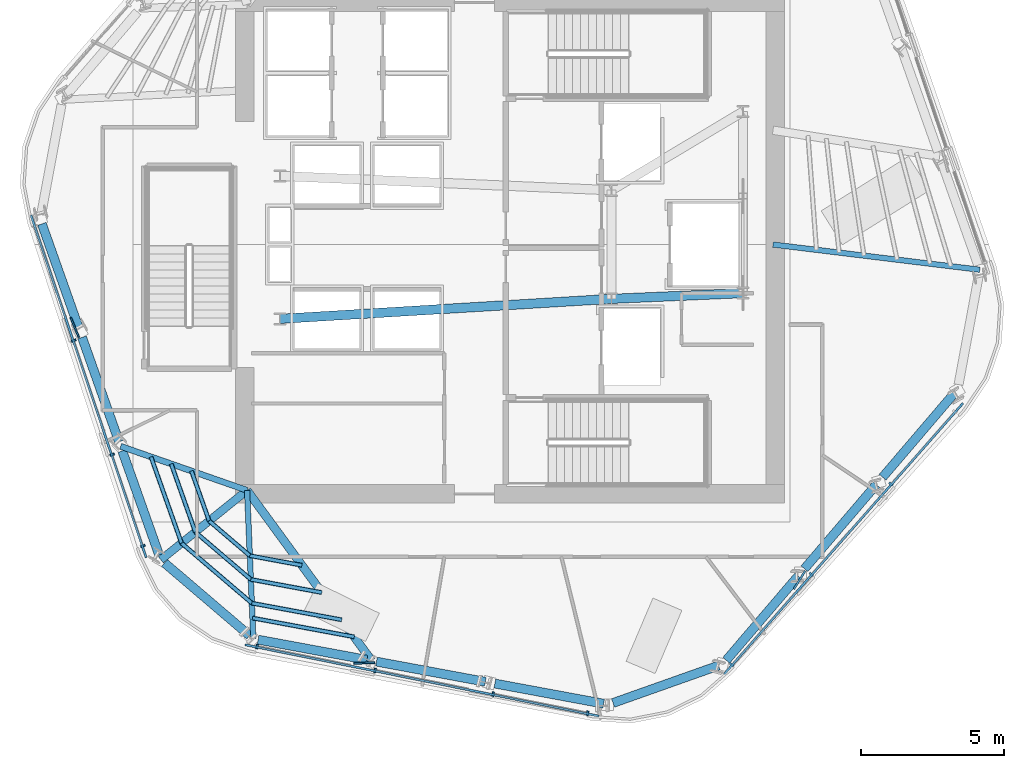
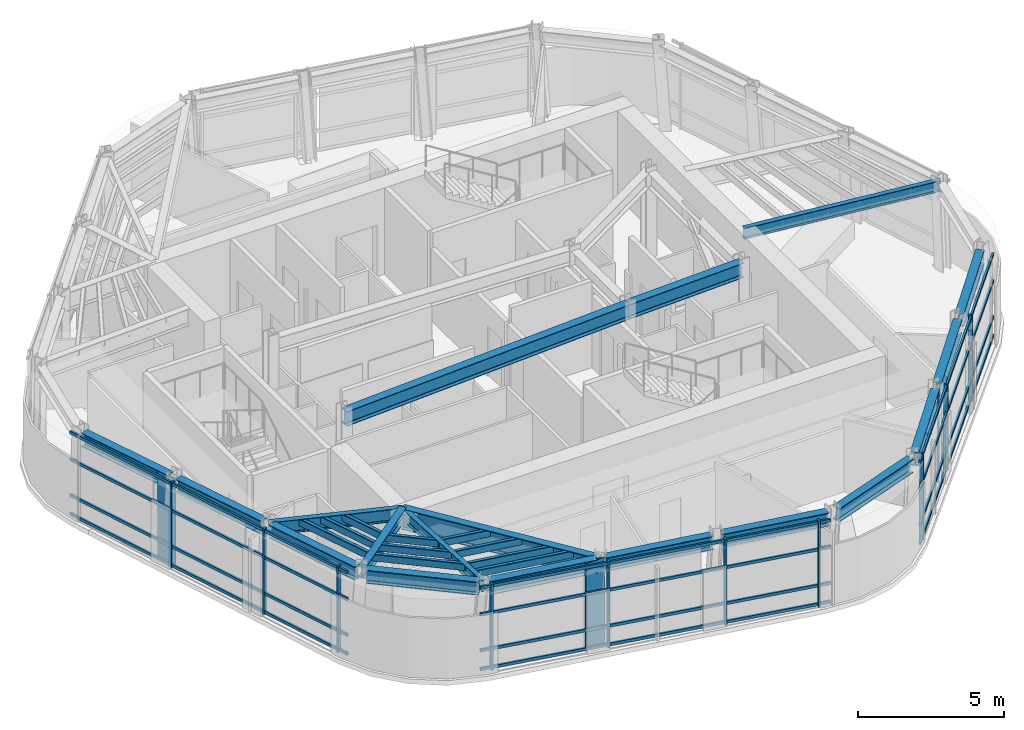
# One storey, part 2 of 12: 35 members, 18 beams, 3 elements without a shape of their own.
"""IFC4 building model written with IfcOpenShell, lengths in metres."""

from ifc_helpers import new_model, si_unit, direction, frame, origin, origin_2d, place, context, subcontext, project, spatial, rectangle, hollow_rectangle, i_section, extrude, material, layer, layer_set, material_profile, profile_set, type_object, element, aggregate, save


model = new_model("IFC4")

# Units and contexts
model_context = context("Model", 3, precision=1e-05, world=origin(), true_north=direction((0.0, 1.0)))
body_context = subcontext(model_context, "Body", "Model", "MODEL_VIEW")
ifc_project = project(units=[si_unit("LENGTHUNIT", "METRE"), si_unit("AREAUNIT", "SQUARE_METRE"), si_unit("VOLUMEUNIT", "CUBIC_METRE"), si_unit("PLANEANGLEUNIT", "RADIAN"), si_unit("MASSUNIT", "GRAM", prefix="KILO")], contexts=[model_context])

# Site, building, storey
site_placement = place(None, origin())
site = spatial("IfcSite", under=ifc_project, at=site_placement, CompositionType="ELEMENT")
building_placement = place(site_placement, origin())
building = spatial("IfcBuilding", under=site, at=building_placement, Name="Valkerne Bourse Tower", CompositionType="ELEMENT")
storey_placement = place(building_placement, frame((0.0, 0.0, 232.199951171875)))
storey = spatial("IfcBuildingStorey", under=building, at=storey_placement, Name="L59", CompositionType="ELEMENT", Elevation=232.199951171875)

# Beams
ifc_material_1 = material(Name="Steel ASTM A992", Category="steel")
ifc_material_profile_1 = material_profile(ifc_material_1, i_section(OverallWidth=0.1904296875, OverallDepth=0.457275390625, WebThickness=0.009033203125, FlangeThickness=0.014404296875, FilletRadius=0.01513671875, at=origin_2d()), Name="W18X50")
ifc_profile_set_1 = profile_set([ifc_material_profile_1], Name="Steel ASTM A992")
beam_type_1 = type_object("IfcBeamType", Name="BM-W18X50", PredefinedType="JOIST", material=ifc_profile_set_1)
beam_1_placement = place(storey_placement, frame((37.818115234375, 13.20703125, 3.371337890625), z_axis=(-0.041947062169, 0.999119834642, 0.0), x_axis=(-0.999119834642, -0.041947062169, 0.0)))
element("IfcBeam", 1, at=beam_1_placement, inside=storey, type_object=beam_type_1, Name="L59 Radial Composite Floor Beam 12", PredefinedType="JOIST", context=body_context, shape_type="SweptSolid", body=[
    extrude(i_section(OverallWidth=0.1904296875, OverallDepth=0.457275390625, WebThickness=0.009033203125, FlangeThickness=0.014404296875, FilletRadius=0.01513671875, at=origin_2d()), origin(), (0.0, 0.0, 1.0), 5.197509765625),
])
beam_2_placement = place(storey_placement, frame((63.236083984375, 26.117919921875, 3.371337890625), z_axis=(-0.992651962074, 0.121004471776, 0.0), x_axis=(-0.121004471776, -0.992651962074, 0.0)))
element("IfcBeam", 2, at=beam_2_placement, inside=storey, type_object=beam_type_1, Name="L59 Radial Composite Floor Beam 20", PredefinedType="JOIST", context=body_context, shape_type="SweptSolid", body=[
    extrude(i_section(OverallWidth=0.1904296875, OverallDepth=0.457275390625, WebThickness=0.009033203125, FlangeThickness=0.014404296875, FilletRadius=0.01513671875, at=origin_2d()), origin(), (0.0, 0.0, 1.0), 7.28955078125),
])
ifc_material_profile_2 = material_profile(ifc_material_1, i_section(OverallWidth=0.279296875, OverallDepth=0.46240234375, WebThickness=0.0107421875, FlangeThickness=0.017333984375, FilletRadius=0.017822265625, at=origin_2d()), Name="W18X76")
ifc_profile_set_2 = profile_set([ifc_material_profile_2], Name="Steel ASTM A992")
beam_type_2 = type_object("IfcBeamType", Name="BM-W18X76", PredefinedType="BEAM", material=ifc_profile_set_2)
beam_3_placement = place(storey_placement, frame((34.58203125, 15.970947265625, 3.368896484375), z_axis=(0.779039462859, 0.626974892087, 0.0), x_axis=(-0.626974892087, 0.779039462859, 0.0)))
element("IfcBeam", 3, at=beam_3_placement, inside=storey, type_object=beam_type_2, Name="L59 Radial Composite Floor Beam 11", PredefinedType="BEAM", context=body_context, shape_type="SweptSolid", body=[
    extrude(i_section(OverallWidth=0.279296875, OverallDepth=0.46240234375, WebThickness=0.0107421875, FlangeThickness=0.017333984375, FilletRadius=0.017822265625, at=origin_2d()), origin(), (0.0, 0.0, 1.0), 3.8740234375),
])
ifc_material_profile_3 = material_profile(ifc_material_1, i_section(OverallWidth=0.31494140625, OverallDepth=0.5537109375, WebThickness=0.0166015625, FlangeThickness=0.026123046875, FilletRadius=0.020263671875, at=origin_2d()), Name="W21X132")
ifc_profile_set_3 = profile_set([ifc_material_profile_3], Name="Steel ASTM A992")
beam_type_3 = type_object("IfcBeamType", Name="BM-W21X132", PredefinedType="BEAM", material=ifc_profile_set_3)
beam_4_placement = place(storey_placement, frame((30.420654296875, 27.721923828125, 3.3232421875), z_axis=(0.333858813959, -0.942623091348, 0.0), x_axis=(0.942623091348, 0.333858813959, 0.0)))
element("IfcBeam", 4, at=beam_4_placement, inside=storey, type_object=beam_type_3, Name="L59 Hexagonal Spandrel Ring Beam 08", PredefinedType="BEAM", context=body_context, shape_type="SweptSolid", body=[
    extrude(i_section(OverallWidth=0.31494140625, OverallDepth=0.5537109375, WebThickness=0.0166015625, FlangeThickness=0.026123046875, FilletRadius=0.020263671875, at=origin_2d()), origin(), (0.0, 0.0, 1.0), 3.8720703125),
])
for number, where, z_axis, x_axis, name in (
    (5, (31.82666015625, 23.751708984375, 3.3232421875), (0.3338389725, -0.942630118573, 0.0), (0.942630118573, 0.3338389725, 0.0), "L59 Hexagonal Spandrel Ring Beam 09"),
    (6, (33.232666015625, 19.78125, 3.3232421875), (0.3338389725, -0.942630118573, 0.0), (0.942630118573, 0.3338389725, 0.0), "L59 Hexagonal Spandrel Ring Beam 10"),
):
    element("IfcBeam", number, at=place(storey_placement, frame(where, z_axis=z_axis, x_axis=x_axis)), inside=storey, type_object=beam_type_3, Name=name, PredefinedType="BEAM", context=body_context, shape_type="SweptSolid", body=[
        extrude(i_section(OverallWidth=0.31494140625, OverallDepth=0.5537109375, WebThickness=0.0166015625, FlangeThickness=0.026123046875, FilletRadius=0.020263671875, at=origin_2d()), origin(), (0.0, 0.0, 1.0), 3.872314453125),
    ])
beam_5_placement = place(storey_placement, frame((34.711181640625, 15.860595703125, 3.3232421875), z_axis=(0.760386507332, -0.649470830344, 0.0), x_axis=(0.649470830344, 0.760386507332, 0.0)))
element("IfcBeam", 7, at=beam_5_placement, inside=storey, type_object=beam_type_3, Name="L59 Hexagonal Spandrel Ring Beam 11", PredefinedType="BEAM", context=body_context, shape_type="SweptSolid", body=[
    extrude(i_section(OverallWidth=0.31494140625, OverallDepth=0.5537109375, WebThickness=0.0166015625, FlangeThickness=0.026123046875, FilletRadius=0.020263671875, at=origin_2d()), origin(), (0.0, 0.0, 1.0), 3.915771484375),
])
for number, where, z_axis, x_axis, name in (
    (8, (37.985107421875, 13.176025390625, 3.3232421875), (0.983256908036, -0.182224731578, 0.0), (0.182224731578, 0.983256908036, 0.0), "L59 Hexagonal Spandrel Ring Beam 12"),
    (9, (42.126708984375, 12.408447265625, 3.3232421875), (0.983256908036, -0.182224731578, 0.0), (0.182224731578, 0.983256908036, 0.0), "L59 Hexagonal Spandrel Ring Beam 13"),
):
    element("IfcBeam", number, at=place(storey_placement, frame(where, z_axis=z_axis, x_axis=x_axis)), inside=storey, type_object=beam_type_3, Name=name, PredefinedType="BEAM", context=body_context, shape_type="SweptSolid", body=[
        extrude(i_section(OverallWidth=0.31494140625, OverallDepth=0.5537109375, WebThickness=0.0166015625, FlangeThickness=0.026123046875, FilletRadius=0.020263671875, at=origin_2d()), origin(), (0.0, 0.0, 1.0), 3.8720703125),
    ])
beam_6_placement = place(storey_placement, frame((46.268310546875, 11.64111328125, 3.3232421875), z_axis=(0.98324351342, -0.182296992067, 0.0), x_axis=(0.182296992067, 0.98324351342, 0.0)))
element("IfcBeam", 10, at=beam_6_placement, inside=storey, type_object=beam_type_3, Name="L59 Hexagonal Spandrel Ring Beam 14", PredefinedType="BEAM", context=body_context, shape_type="SweptSolid", body=[
    extrude(i_section(OverallWidth=0.31494140625, OverallDepth=0.5537109375, WebThickness=0.0166015625, FlangeThickness=0.026123046875, FilletRadius=0.020263671875, at=origin_2d()), origin(), (0.0, 0.0, 1.0), 3.871826171875),
])
beam_7_placement = place(storey_placement, frame((50.402587890625, 10.961181640625, 3.3232421875), z_axis=(0.942639896064, 0.333811363419, 0.0), x_axis=(-0.333811363419, 0.942639896064, 0.0)))
element("IfcBeam", 11, at=beam_7_placement, inside=storey, type_object=beam_type_3, Name="L59 Hexagonal Spandrel Ring Beam 15", PredefinedType="BEAM", context=body_context, shape_type="SweptSolid", body=[
    extrude(i_section(OverallWidth=0.31494140625, OverallDepth=0.5537109375, WebThickness=0.0166015625, FlangeThickness=0.026123046875, FilletRadius=0.020263671875, at=origin_2d()), origin(), (0.0, 0.0, 1.0), 3.915771484375),
])
beam_8_placement = place(storey_placement, frame((54.364501953125, 12.454345703125, 3.3232421875), z_axis=(0.649471419242, 0.760386004334, 0.0), x_axis=(-0.760386004334, 0.649471419242, 0.0)))
element("IfcBeam", 12, at=beam_8_placement, inside=storey, type_object=beam_type_3, Name="L59 Hexagonal Spandrel Ring Beam 16", PredefinedType="BEAM", context=body_context, shape_type="SweptSolid", body=[
    extrude(i_section(OverallWidth=0.31494140625, OverallDepth=0.5537109375, WebThickness=0.0166015625, FlangeThickness=0.026123046875, FilletRadius=0.020263671875, at=origin_2d()), origin(), (0.0, 0.0, 1.0), 3.871826171875),
])
for number, where, z_axis, x_axis, name in (
    (13, (57.099853515625, 15.656982421875, 3.3232421875), (0.649440280308, 0.760412600049, 0.0), (-0.760412600049, 0.649440280308, 0.0), "L59 Hexagonal Spandrel Ring Beam 17"),
    (14, (59.83544921875, 18.85986328125, 3.3232421875), (0.649440280308, 0.760412600049, 0.0), (-0.760412600049, 0.649440280308, 0.0), "L59 Hexagonal Spandrel Ring Beam 18"),
):
    element("IfcBeam", number, at=place(storey_placement, frame(where, z_axis=z_axis, x_axis=x_axis)), inside=storey, type_object=beam_type_3, Name=name, PredefinedType="BEAM", context=body_context, shape_type="SweptSolid", body=[
        extrude(i_section(OverallWidth=0.31494140625, OverallDepth=0.5537109375, WebThickness=0.0166015625, FlangeThickness=0.026123046875, FilletRadius=0.020263671875, at=origin_2d()), origin(), (0.0, 0.0, 1.0), 3.8720703125),
    ])
ifc_material_profile_4 = material_profile(ifc_material_1, i_section(OverallWidth=0.209228515625, OverallDepth=0.533447265625, WebThickness=0.01025390625, FlangeThickness=0.015625, FilletRadius=0.017822265625, at=origin_2d()), Name="W21X62")
ifc_profile_set_4 = profile_set([ifc_material_profile_4], Name="Steel ASTM A992")
beam_type_4 = type_object("IfcBeamType", Name="BM-W21X62", PredefinedType="JOIST", material=ifc_profile_set_4)
beam_9_placement = place(storey_placement, frame((33.176025390625, 19.94140625, 3.333251953125), z_axis=(0.944318088553, -0.329033961212, 0.0), x_axis=(0.329033961212, 0.944318088553, 0.0)))
element("IfcBeam", 15, at=beam_9_placement, inside=storey, type_object=beam_type_4, Name="L59 Radial Composite Floor Beam 10", PredefinedType="JOIST", context=body_context, shape_type="SweptSolid", body=[
    extrude(i_section(OverallWidth=0.209228515625, OverallDepth=0.533447265625, WebThickness=0.01025390625, FlangeThickness=0.015625, FilletRadius=0.017822265625, at=origin_2d()), origin(), (0.0, 0.0, 1.0), 4.68505859375),
])
ifc_material_profile_5 = material_profile(ifc_material_1, i_section(OverallWidth=0.3251953125, OverallDepth=0.612060546875, WebThickness=0.0126953125, FlangeThickness=0.01904296875, FilletRadius=0.020263671875, at=origin_2d()), Name="W24X104")
ifc_profile_set_5 = profile_set([ifc_material_profile_5], Name="Steel ASTM A992")
beam_type_5 = type_object("IfcBeamType", Name="BM-W24X104", PredefinedType="BEAM", material=ifc_profile_set_5)
beam_10_placement = place(storey_placement, frame((50.35009765625, 25.10009765625, 3.2939453125), z_axis=(0.999056558506, 0.043428019819, 0.0), x_axis=(-0.043428019819, 0.999056558506, 0.0)))
element("IfcBeam", 16, at=beam_10_placement, inside=storey, type_object=beam_type_5, Name="L59 Core Frame Girder CG-SE", PredefinedType="BEAM", context=body_context, shape_type="SweptSolid", body=[
    extrude(i_section(OverallWidth=0.3251953125, OverallDepth=0.612060546875, WebThickness=0.0126953125, FlangeThickness=0.01904296875, FilletRadius=0.020263671875, at=origin_2d()), origin(), (0.0, 0.0, 1.0), 4.604248046875),
])
beam_11_placement = place(storey_placement, frame((38.75, 24.39990234375, 3.2939453125), z_axis=(0.998183228389, 0.060251494276, 0.0), x_axis=(-0.060251494276, 0.998183228389, 0.0)))
element("IfcBeam", 17, at=beam_11_placement, inside=storey, type_object=beam_type_5, Name="L59 Core Frame Girder CG-SW", PredefinedType="BEAM", context=body_context, shape_type="SweptSolid", body=[
    extrude(i_section(OverallWidth=0.3251953125, OverallDepth=0.612060546875, WebThickness=0.0126953125, FlangeThickness=0.01904296875, FilletRadius=0.020263671875, at=origin_2d()), origin(), (0.0, 0.0, 1.0), 11.62109375),
])
ifc_material_profile_6 = material_profile(ifc_material_1, i_section(OverallWidth=0.2919921875, OverallDepth=0.8583984375, WebThickness=0.01708984375, FlangeThickness=0.031005859375, FilletRadius=0.025390625, at=origin_2d()), Name="W33X169")
ifc_profile_set_6 = profile_set([ifc_material_profile_6], Name="Steel ASTM A992")
beam_type_6 = type_object("IfcBeamType", Name="BM-W33X169", PredefinedType="BEAM", material=ifc_profile_set_6)
beam_12_placement = place(storey_placement, frame((41.95947265625, 12.439453125, 3.1708984375), z_axis=(-0.590339820754, 0.807154815406, 0.0), x_axis=(-0.807154815406, -0.590339820754, 0.0)))
element("IfcBeam", 18, at=beam_12_placement, inside=storey, type_object=beam_type_6, Name="L59 Radial Composite Floor Beam 13", PredefinedType="BEAM", context=body_context, shape_type="SweptSolid", body=[
    extrude(i_section(OverallWidth=0.2919921875, OverallDepth=0.8583984375, WebThickness=0.01708984375, FlangeThickness=0.031005859375, FilletRadius=0.025390625, at=origin_2d()), origin(), (0.0, 0.0, 1.0), 7.384521484375),
])

# Curtain wall, members
ifc_material_2 = material(Name="Aluminium AA 6063-T6", Category="aluminium")
ifc_layer = layer(ifc_material_2, 0.239990234375)
ifc_layer_set = layer_set([ifc_layer], Name="Aluminium AA 6063-T6")
curtain_wall_type = type_object("IfcCurtainWallType", Name="CW-04", PredefinedType="NOTDEFINED", material=ifc_layer_set)
curtain_wall_1_placement = place(storey_placement, origin())
curtain_wall_1 = element("IfcCurtainWall", 19, at=curtain_wall_1_placement, inside=storey, type_object=curtain_wall_type, Name="L59 Hexagonal Stick Curtain Wall Face 3", PredefinedType="NOTDEFINED")
ifc_material_profile_7 = material_profile(ifc_material_2, rectangle(XDim=0.074951171875, YDim=0.159912109375, at=origin_2d()), Name="CWM-75X160")
ifc_profile_set_7 = profile_set([ifc_material_profile_7], Name="Aluminium AA 6063-T6")
member_type_1 = type_object("IfcMemberType", Name="CW-MUL-160X75", PredefinedType="MULLION", material=ifc_profile_set_7)
member_1_placement = place(storey_placement, frame((31.53515625, 23.6416015625, 0.0), z_axis=(0.0, 0.0, 1.0), x_axis=(0.318947275184, -0.947772459851, 0.0)))
member_1 = element("IfcMember", 20, at=member_1_placement, type_object=member_type_1, Name="CW-L59-F3 Jamb Mullion 01A", PredefinedType="MULLION", context=body_context, shape_type="SweptSolid", body=[
    extrude(rectangle(XDim=0.074951171875, YDim=0.159912109375, at=origin_2d()), origin(), (0.0, 0.0, 1.0), 3.60009765625),
])
member_2_placement = place(storey_placement, frame((32.87841796875, 19.649658203125, 0.0), z_axis=(0.0, 0.0, 1.0), x_axis=(0.318968601555, -0.947765282769, 0.0)))
member_2 = element("IfcMember", 21, at=member_2_placement, type_object=member_type_1, Name="CW-L59-F3 Jamb Mullion 02A", PredefinedType="MULLION", context=body_context, shape_type="SweptSolid", body=[
    extrude(rectangle(XDim=0.074951171875, YDim=0.159912109375, at=origin_2d()), origin(), (0.0, 0.0, 1.0), 3.60009765625),
])
member_3_placement = place(storey_placement, frame((33.9541015625, 16.453857421875, 0.0), z_axis=(0.0, 0.0, 1.0), x_axis=(0.318968601555, -0.947765282769, 0.0)))
member_3 = element("IfcMember", 22, at=member_3_placement, type_object=member_type_1, Name="CW-L59-F3 Jamb Mullion 02B", PredefinedType="MULLION", context=body_context, shape_type="SweptSolid", body=[
    extrude(rectangle(XDim=0.074951171875, YDim=0.159912109375, at=origin_2d()), origin(), (0.0, 0.0, 1.0), 3.60009765625),
])

curtain_wall_2_placement = place(storey_placement, origin())
curtain_wall_2 = element("IfcCurtainWall", 23, at=curtain_wall_2_placement, inside=storey, type_object=curtain_wall_type, Name="L59 Hexagonal Stick Curtain Wall Face 4", PredefinedType="NOTDEFINED")
member_4_placement = place(storey_placement, frame((37.947021484375, 12.93359375, 0.0), z_axis=(0.0, 0.0, 1.0), x_axis=(0.980272659365, -0.197649976729, 0.0)))
member_4 = element("IfcMember", 24, at=member_4_placement, type_object=member_type_1, Name="CW-L59-F4 Jamb Mullion 00A", PredefinedType="MULLION", context=body_context, shape_type="SweptSolid", body=[
    extrude(rectangle(XDim=0.074951171875, YDim=0.159912109375, at=origin_2d()), origin(), (0.0, 0.0, 1.0), 3.60009765625),
])
member_5_placement = place(storey_placement, frame((42.075927734375, 12.10107421875, 0.0), z_axis=(0.0, 0.0, 1.0), x_axis=(0.980268059139, -0.197672790823, 0.0)))
member_5 = element("IfcMember", 25, at=member_5_placement, type_object=member_type_1, Name="CW-L59-F4 Jamb Mullion 01A", PredefinedType="MULLION", context=body_context, shape_type="SweptSolid", body=[
    extrude(rectangle(XDim=0.074951171875, YDim=0.159912109375, at=origin_2d()), origin(), (0.0, 0.0, 1.0), 3.60009765625),
])
member_6_placement = place(storey_placement, frame((46.204833984375, 11.2685546875, 0.0), z_axis=(0.0, 0.0, 1.0), x_axis=(0.980272659365, -0.197649976729, 0.0)))
member_6 = element("IfcMember", 26, at=member_6_placement, type_object=member_type_1, Name="CW-L59-F4 Jamb Mullion 02A", PredefinedType="MULLION", context=body_context, shape_type="SweptSolid", body=[
    extrude(rectangle(XDim=0.074951171875, YDim=0.159912109375, at=origin_2d()), origin(), (0.0, 0.0, 1.0), 3.60009765625),
])
member_7_placement = place(storey_placement, frame((49.51025390625, 10.60205078125, 0.0), z_axis=(0.0, 0.0, 1.0), x_axis=(0.980272659365, -0.197649976729, 0.0)))
member_7 = element("IfcMember", 27, at=member_7_placement, type_object=member_type_1, Name="CW-L59-F4 Jamb Mullion 02B", PredefinedType="MULLION", context=body_context, shape_type="SweptSolid", body=[
    extrude(rectangle(XDim=0.074951171875, YDim=0.159912109375, at=origin_2d()), origin(), (0.0, 0.0, 1.0), 3.60009765625),
])

curtain_wall_3_placement = place(storey_placement, origin())
curtain_wall_3 = element("IfcCurtainWall", 28, at=curtain_wall_3_placement, inside=storey, type_object=curtain_wall_type, Name="L59 Hexagonal Stick Curtain Wall Face 5", PredefinedType="NOTDEFINED")
member_8_placement = place(storey_placement, frame((54.555419921875, 12.2998046875, 0.0), z_axis=(0.0, 0.0, 1.0), x_axis=(0.661301987513, 0.750119777976, 0.0)))
member_8 = element("IfcMember", 29, at=member_8_placement, type_object=member_type_1, Name="CW-L59-F5 Jamb Mullion 00A", PredefinedType="MULLION", context=body_context, shape_type="SweptSolid", body=[
    extrude(rectangle(XDim=0.074951171875, YDim=0.159912109375, at=origin_2d()), origin(), (0.0, 0.0, 1.0), 3.60009765625),
])
member_9_placement = place(storey_placement, frame((57.3408203125, 15.45947265625, 0.0), z_axis=(0.0, 0.0, 1.0), x_axis=(0.6613271234, 0.750097617551, 0.0)))
member_9 = element("IfcMember", 30, at=member_9_placement, type_object=member_type_1, Name="CW-L59-F5 Jamb Mullion 01A", PredefinedType="MULLION", context=body_context, shape_type="SweptSolid", body=[
    extrude(rectangle(XDim=0.074951171875, YDim=0.159912109375, at=origin_2d()), origin(), (0.0, 0.0, 1.0), 3.60009765625),
])
member_10_placement = place(storey_placement, frame((60.126220703125, 18.618896484375, 0.0), z_axis=(0.0, 0.0, 1.0), x_axis=(0.661301987513, 0.750119777976, 0.0)))
member_10 = element("IfcMember", 31, at=member_10_placement, type_object=member_type_1, Name="CW-L59-F5 Jamb Mullion 02A", PredefinedType="MULLION", context=body_context, shape_type="SweptSolid", body=[
    extrude(rectangle(XDim=0.074951171875, YDim=0.159912109375, at=origin_2d()), origin(), (0.0, 0.0, 1.0), 3.60009765625),
])

# Member
ifc_material_profile_8 = material_profile(ifc_material_2, rectangle(XDim=0.074951171875, YDim=0.1201171875, at=origin_2d()), Name="CWT-75X120")
ifc_profile_set_8 = profile_set([ifc_material_profile_8], Name="Aluminium AA 6063-T6")
member_type_2 = type_object("IfcMemberType", Name="CW-TRN-120X75", PredefinedType="USERDEFINED", material=ifc_profile_set_8)
member_11_placement = place(storey_placement, frame((30.038818359375, 28.025390625, 0.1201171875), z_axis=(0.318950720204, -0.947771300516, 0.0), x_axis=(0.947771300516, 0.318950720204, 0.0)))
member_11 = element("IfcMember", 32, at=member_11_placement, type_object=member_type_2, Name="CW-L59-F3 Continuous Face Transom 1", ObjectType="TRANSOM", PredefinedType="USERDEFINED", context=body_context, shape_type="SweptSolid", body=[
    extrude(rectangle(XDim=0.074951171875, YDim=0.1201171875, at=origin_2d()), origin(), (0.0, 0.0, 1.0), 12.635986328125),
])

member_12_placement = place(storey_placement, frame((30.038818359375, 28.025390625, 0.900146484375), z_axis=(0.318950720204, -0.947771300516, 0.0), x_axis=(0.947771300516, 0.318950720204, 0.0)))
member_12 = element("IfcMember", 33, at=member_12_placement, type_object=member_type_2, Name="CW-L59-F3 Continuous Face Transom 2", ObjectType="TRANSOM", PredefinedType="USERDEFINED", context=body_context, shape_type="SweptSolid", body=[
    extrude(rectangle(XDim=0.074951171875, YDim=0.1201171875, at=origin_2d()), origin(), (0.0, 0.0, 1.0), 12.635986328125),
])

member_13_placement = place(storey_placement, frame((30.038818359375, 28.025390625, 2.400146484375), z_axis=(0.318950720204, -0.947771300516, 0.0), x_axis=(0.947771300516, 0.318950720204, 0.0)))
member_13 = element("IfcMember", 34, at=member_13_placement, type_object=member_type_2, Name="CW-L59-F3 Continuous Face Transom 3", ObjectType="TRANSOM", PredefinedType="USERDEFINED", context=body_context, shape_type="SweptSolid", body=[
    extrude(rectangle(XDim=0.074951171875, YDim=0.1201171875, at=origin_2d()), origin(), (0.0, 0.0, 1.0), 12.635986328125),
])

member_14_placement = place(storey_placement, frame((30.038818359375, 28.025390625, 3.52001953125), z_axis=(0.318950720204, -0.947771300516, 0.0), x_axis=(0.947771300516, 0.318950720204, 0.0)))
member_14 = element("IfcMember", 35, at=member_14_placement, type_object=member_type_2, Name="CW-L59-F3 Continuous Face Transom 4", ObjectType="TRANSOM", PredefinedType="USERDEFINED", context=body_context, shape_type="SweptSolid", body=[
    extrude(rectangle(XDim=0.074951171875, YDim=0.1201171875, at=origin_2d()), origin(), (0.0, 0.0, 1.0), 12.635986328125),
])

aggregate(curtain_wall_1, [member_11, member_12, member_13, member_14, member_1, member_2, member_3])

member_15_placement = place(storey_placement, frame((37.53125, 12.9970703125, 0.1201171875), z_axis=(0.980271818892, -0.197654145129, 0.0), x_axis=(0.197654145129, 0.980271818892, 0.0)))
member_15 = element("IfcMember", 36, at=member_15_placement, type_object=member_type_2, Name="CW-L59-F4 Continuous Face Transom 1", ObjectType="TRANSOM", PredefinedType="USERDEFINED", context=body_context, shape_type="SweptSolid", body=[
    extrude(rectangle(XDim=0.074951171875, YDim=0.1201171875, at=origin_2d()), origin(), (0.0, 0.0, 1.0), 12.635986328125),
])

member_16_placement = place(storey_placement, frame((37.53125, 12.9970703125, 0.900146484375), z_axis=(0.980271818892, -0.197654145129, 0.0), x_axis=(0.197654145129, 0.980271818892, 0.0)))
member_16 = element("IfcMember", 37, at=member_16_placement, type_object=member_type_2, Name="CW-L59-F4 Continuous Face Transom 2", ObjectType="TRANSOM", PredefinedType="USERDEFINED", context=body_context, shape_type="SweptSolid", body=[
    extrude(rectangle(XDim=0.074951171875, YDim=0.1201171875, at=origin_2d()), origin(), (0.0, 0.0, 1.0), 12.635986328125),
])

member_17_placement = place(storey_placement, frame((37.53125, 12.9970703125, 2.400146484375), z_axis=(0.980271818892, -0.197654145129, 0.0), x_axis=(0.197654145129, 0.980271818892, 0.0)))
member_17 = element("IfcMember", 38, at=member_17_placement, type_object=member_type_2, Name="CW-L59-F4 Continuous Face Transom 3", ObjectType="TRANSOM", PredefinedType="USERDEFINED", context=body_context, shape_type="SweptSolid", body=[
    extrude(rectangle(XDim=0.074951171875, YDim=0.1201171875, at=origin_2d()), origin(), (0.0, 0.0, 1.0), 12.635986328125),
])

member_18_placement = place(storey_placement, frame((37.53125, 12.9970703125, 3.52001953125), z_axis=(0.980271818892, -0.197654145129, 0.0), x_axis=(0.197654145129, 0.980271818892, 0.0)))
member_18 = element("IfcMember", 39, at=member_18_placement, type_object=member_type_2, Name="CW-L59-F4 Continuous Face Transom 4", ObjectType="TRANSOM", PredefinedType="USERDEFINED", context=body_context, shape_type="SweptSolid", body=[
    extrude(rectangle(XDim=0.074951171875, YDim=0.1201171875, at=origin_2d()), origin(), (0.0, 0.0, 1.0), 12.635986328125),
])

aggregate(curtain_wall_2, [member_15, member_16, member_17, member_18, member_4, member_5, member_6, member_7])

member_19_placement = place(storey_placement, frame((54.29248046875, 11.9716796875, 0.1201171875), z_axis=(0.661321881981, 0.75010223864, 0.0), x_axis=(-0.75010223864, 0.661321881981, 0.0)))
member_19 = element("IfcMember", 40, at=member_19_placement, type_object=member_type_2, Name="CW-L59-F5 Continuous Face Transom 1", ObjectType="TRANSOM", PredefinedType="USERDEFINED", context=body_context, shape_type="SweptSolid", body=[
    extrude(rectangle(XDim=0.074951171875, YDim=0.1201171875, at=origin_2d()), origin(), (0.0, 0.0, 1.0), 12.635986328125),
])

member_20_placement = place(storey_placement, frame((54.29248046875, 11.9716796875, 0.900146484375), z_axis=(0.661321881981, 0.75010223864, 0.0), x_axis=(-0.75010223864, 0.661321881981, 0.0)))
member_20 = element("IfcMember", 41, at=member_20_placement, type_object=member_type_2, Name="CW-L59-F5 Continuous Face Transom 2", ObjectType="TRANSOM", PredefinedType="USERDEFINED", context=body_context, shape_type="SweptSolid", body=[
    extrude(rectangle(XDim=0.074951171875, YDim=0.1201171875, at=origin_2d()), origin(), (0.0, 0.0, 1.0), 12.635986328125),
])

member_21_placement = place(storey_placement, frame((54.29248046875, 11.9716796875, 2.400146484375), z_axis=(0.661321881981, 0.75010223864, 0.0), x_axis=(-0.75010223864, 0.661321881981, 0.0)))
member_21 = element("IfcMember", 42, at=member_21_placement, type_object=member_type_2, Name="CW-L59-F5 Continuous Face Transom 3", ObjectType="TRANSOM", PredefinedType="USERDEFINED", context=body_context, shape_type="SweptSolid", body=[
    extrude(rectangle(XDim=0.074951171875, YDim=0.1201171875, at=origin_2d()), origin(), (0.0, 0.0, 1.0), 12.635986328125),
])

member_22_placement = place(storey_placement, frame((54.29248046875, 11.9716796875, 3.52001953125), z_axis=(0.661321881981, 0.75010223864, 0.0), x_axis=(-0.75010223864, 0.661321881981, 0.0)))
member_22 = element("IfcMember", 43, at=member_22_placement, type_object=member_type_2, Name="CW-L59-F5 Continuous Face Transom 4", ObjectType="TRANSOM", PredefinedType="USERDEFINED", context=body_context, shape_type="SweptSolid", body=[
    extrude(rectangle(XDim=0.074951171875, YDim=0.1201171875, at=origin_2d()), origin(), (0.0, 0.0, 1.0), 12.635986328125),
])

aggregate(curtain_wall_3, [member_19, member_20, member_21, member_22, member_8, member_9, member_10])

# Members
ifc_material_3 = material(Name="Bronze Anodised Aluminium AA 6063-T6", Category="aluminium")
ifc_material_profile_9 = material_profile(ifc_material_3, rectangle(XDim=0.06494140625, YDim=0.75, at=origin_2d()), Name="FIN-65X750")
ifc_profile_set_9 = profile_set([ifc_material_profile_9], Name="Bronze Anodised Aluminium AA 6063-T6")
member_type_3 = type_object("IfcMemberType", Name="FIN-SOLAR-650", PredefinedType="USERDEFINED", material=ifc_profile_set_9)
for number, where, z_axis, x_axis, name in (
    (44, (31.57177734375, 24.09716796875, 0.004150390625), (0.0, 0.0, 1.0), (-0.922432531533, -0.386158289785, 0.0), "L59 Bronze Anodised Solar Fin F3-01"),
    (45, (41.69970703125, 12.360595703125, 0.004150390625), (0.0, 0.0, 1.0), (0.039184900929, -0.99923197684, 0.0), "L59 Bronze Anodised Solar Fin F4-01"),
    (46, (56.927978515625, 15.263427734375, 0.004150390625), (0.0, 0.0, 1.0), (0.849240292456, -0.528006558358, 0.0), "L59 Bronze Anodised Solar Fin F5-01"),
):
    element("IfcMember", number, at=place(storey_placement, frame(where, z_axis=z_axis, x_axis=x_axis)), inside=storey, type_object=member_type_3, Name=name, ObjectType="SOLAR_FIN", PredefinedType="USERDEFINED", context=body_context, shape_type="SweptSolid", body=[
        extrude(rectangle(XDim=0.06494140625, YDim=0.75, at=origin_2d()), origin(), (0.0, 0.0, 1.0), 3.591796875),
    ])
ifc_material_4 = material(Name="Steel ASTM A500 Grade C", Category="steel")
ifc_material_profile_10 = material_profile(ifc_material_4, hollow_rectangle(XDim=0.14990234375, YDim=0.300048828125, WallThickness=0.012451171875, OuterFilletRadius=0.02490234375, at=origin_2d()), Name="HSS300X150X12.5")
ifc_profile_set_10 = profile_set([ifc_material_profile_10], Name="Steel ASTM A500 Grade C")
member_type_4 = type_object("IfcMemberType", Name="MBR-HSS300X150X12.5", PredefinedType="PURLIN", material=ifc_profile_set_10)
member_23_placement = place(storey_placement, frame((35.6533203125, 19.078125, 3.43994140625), z_axis=(0.333956879656, -0.942588352639, 0.0), x_axis=(0.942588352639, 0.333956879656, 0.0)))
element("IfcMember", 47, at=member_23_placement, inside=storey, type_object=member_type_4, Name="L59 Secondary Composite Floor Purlin K-10", PredefinedType="PURLIN", context=body_context, shape_type="SweptSolid", body=[
    extrude(hollow_rectangle(XDim=0.14990234375, YDim=0.300048828125, WallThickness=0.012451171875, OuterFilletRadius=0.02490234375, at=origin_2d()), origin(), (0.0, 0.0, 1.0), 1.853271484375),
])
member_24_placement = place(storey_placement, frame((36.272216796875, 17.331298828125, 3.43994140625), z_axis=(0.760286474026, -0.649587928931, 0.0), x_axis=(0.649587928931, 0.760286474026, 0.0)))
element("IfcMember", 48, at=member_24_placement, inside=storey, type_object=member_type_4, Name="L59 Secondary Composite Floor Purlin K-11", PredefinedType="PURLIN", context=body_context, shape_type="SweptSolid", body=[
    extrude(hollow_rectangle(XDim=0.14990234375, YDim=0.300048828125, WallThickness=0.012451171875, OuterFilletRadius=0.02490234375, at=origin_2d()), origin(), (0.0, 0.0, 1.0), 1.872314453125),
])
member_25_placement = place(storey_placement, frame((37.69580078125, 16.114990234375, 3.43994140625), z_axis=(0.983268026801, -0.182164726198, 0.0), x_axis=(0.182164726198, 0.983268026801, 0.0)))
element("IfcMember", 49, at=member_25_placement, inside=storey, type_object=member_type_4, Name="L59 Secondary Composite Floor Purlin K-12", PredefinedType="PURLIN", context=body_context, shape_type="SweptSolid", body=[
    extrude(hollow_rectangle(XDim=0.14990234375, YDim=0.300048828125, WallThickness=0.012451171875, OuterFilletRadius=0.02490234375, at=origin_2d()), origin(), (0.0, 0.0, 1.0), 1.853515625),
])
member_26_placement = place(storey_placement, frame((34.23779296875, 19.571533203125, 3.43994140625), z_axis=(0.333813259408, -0.942639224647, 0.0), x_axis=(0.942639224647, 0.333813259408, 0.0)))
element("IfcMember", 50, at=member_26_placement, inside=storey, type_object=member_type_4, Name="L59 Secondary Composite Floor Purlin O-10", PredefinedType="PURLIN", context=body_context, shape_type="SweptSolid", body=[
    extrude(hollow_rectangle(XDim=0.14990234375, YDim=0.300048828125, WallThickness=0.012451171875, OuterFilletRadius=0.02490234375, at=origin_2d()), origin(), (0.0, 0.0, 1.0), 3.201171875),
])
member_27_placement = place(storey_placement, frame((35.306396484375, 16.553955078125, 3.43994140625), z_axis=(0.760374454841, -0.649484940877, 0.0), x_axis=(0.649484940877, 0.760374454841, 0.0)))
element("IfcMember", 51, at=member_27_placement, inside=storey, type_object=member_type_4, Name="L59 Secondary Composite Floor Purlin O-11", PredefinedType="PURLIN", context=body_context, shape_type="SweptSolid", body=[
    extrude(hollow_rectangle(XDim=0.14990234375, YDim=0.300048828125, WallThickness=0.012451171875, OuterFilletRadius=0.02490234375, at=origin_2d()), origin(), (0.0, 0.0, 1.0), 3.234130859375),
])
member_28_placement = place(storey_placement, frame((37.765625, 14.453369140625, 3.43994140625), z_axis=(0.983260250173, -0.182206696995, 0.0), x_axis=(0.182206696995, 0.983260250173, 0.0)))
element("IfcMember", 52, at=member_28_placement, inside=storey, type_object=member_type_4, Name="L59 Secondary Composite Floor Purlin O-12", PredefinedType="PURLIN", context=body_context, shape_type="SweptSolid", body=[
    extrude(hollow_rectangle(XDim=0.14990234375, YDim=0.300048828125, WallThickness=0.012451171875, OuterFilletRadius=0.02490234375, at=origin_2d()), origin(), (0.0, 0.0, 1.0), 3.200927734375),
])
member_29_placement = place(storey_placement, frame((34.945556640625, 19.32470703125, 3.43994140625), z_axis=(0.333850718652, -0.942625958509, 0.0), x_axis=(0.942625958509, 0.333850718652, 0.0)))
element("IfcMember", 53, at=member_29_placement, inside=storey, type_object=member_type_4, Name="L59 Secondary Composite Floor Purlin Z-10", PredefinedType="PURLIN", context=body_context, shape_type="SweptSolid", body=[
    extrude(hollow_rectangle(XDim=0.14990234375, YDim=0.300048828125, WallThickness=0.012451171875, OuterFilletRadius=0.02490234375, at=origin_2d()), origin(), (0.0, 0.0, 1.0), 2.52734375),
])
member_30_placement = place(storey_placement, frame((35.789306640625, 16.9423828125, 3.43994140625), z_axis=(0.760389419075, -0.649467421322, 0.0), x_axis=(0.649467421322, 0.760389419075, 0.0)))
element("IfcMember", 54, at=member_30_placement, inside=storey, type_object=member_type_4, Name="L59 Secondary Composite Floor Purlin Z-11", PredefinedType="PURLIN", context=body_context, shape_type="SweptSolid", body=[
    extrude(hollow_rectangle(XDim=0.14990234375, YDim=0.300048828125, WallThickness=0.012451171875, OuterFilletRadius=0.02490234375, at=origin_2d()), origin(), (0.0, 0.0, 1.0), 2.55322265625),
])
member_31_placement = place(storey_placement, frame((37.730712890625, 15.2841796875, 3.43994140625), z_axis=(0.983264705263, -0.182182653908, 0.0), x_axis=(0.182182653908, 0.983264705263, 0.0)))
element("IfcMember", 55, at=member_31_placement, inside=storey, type_object=member_type_4, Name="L59 Secondary Composite Floor Purlin Z-12", PredefinedType="PURLIN", context=body_context, shape_type="SweptSolid", body=[
    extrude(hollow_rectangle(XDim=0.14990234375, YDim=0.300048828125, WallThickness=0.012451171875, OuterFilletRadius=0.02490234375, at=origin_2d()), origin(), (0.0, 0.0, 1.0), 2.52734375),
])
member_32_placement = place(storey_placement, frame((37.78759765625, 13.93408203125, 3.43994140625), z_axis=(0.983251598084, -0.182253380945, 0.0), x_axis=(0.182253380945, 0.983251598084, 0.0)))
element("IfcMember", 56, at=member_32_placement, inside=storey, type_object=member_type_4, Name="L59 Secondary Composite Floor Purlin T-12", PredefinedType="PURLIN", context=body_context, shape_type="SweptSolid", body=[
    extrude(hollow_rectangle(XDim=0.14990234375, YDim=0.300048828125, WallThickness=0.012451171875, OuterFilletRadius=0.02490234375, at=origin_2d()), origin(), (0.0, 0.0, 1.0), 3.6220703125),
])

save(model, "model.ifc")
